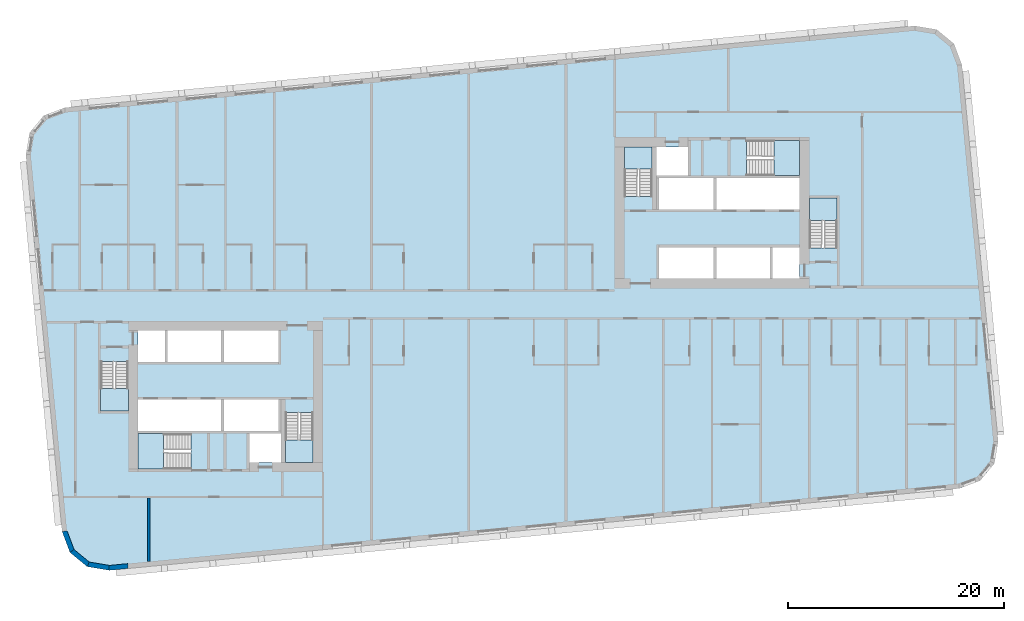
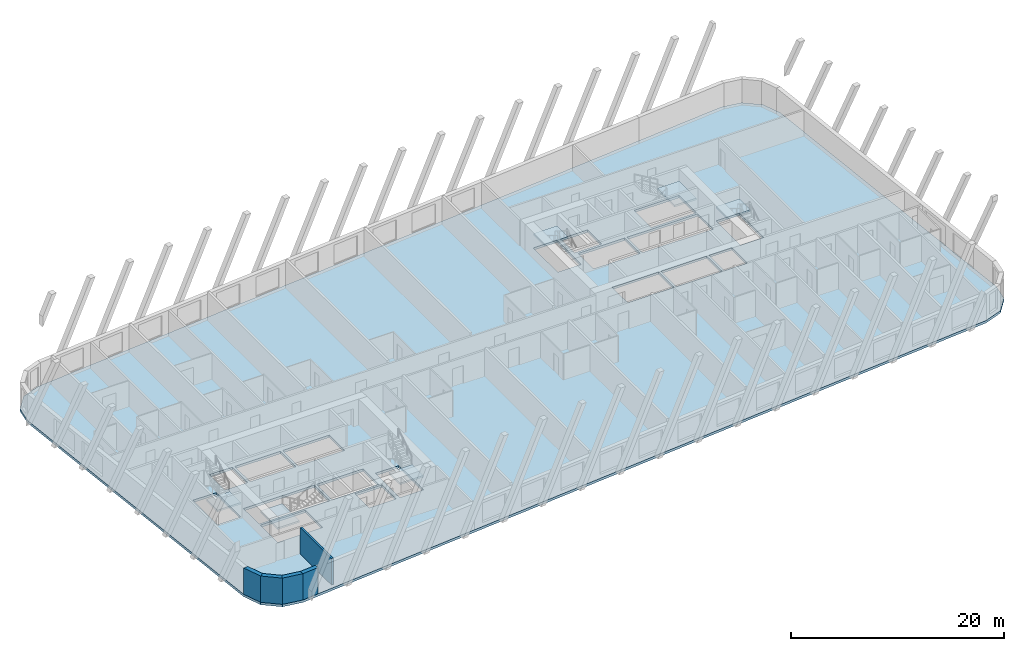
# One storey, part 1 of 13: 7 slabs, 5 walls, 6 elements without a shape of their own.
"""IFC4 building model written with IfcOpenShell, lengths in metres."""

from ifc_helpers import new_model, si_unit, direction, frame, frame_2d, origin, place, context, subcontext, project, spatial, polyline, rectangle, outline, extrude, material, layer, layer_set, type_object, element, aggregate, save


model = new_model("IFC4")

# Units and contexts
model_context = context("Model", 3, precision=1e-05, world=origin(), true_north=direction((0.0, 1.0)))
body_context = subcontext(model_context, "Body", "Model", "MODEL_VIEW")
ifc_project = project(units=[si_unit("LENGTHUNIT", "METRE"), si_unit("AREAUNIT", "SQUARE_METRE"), si_unit("VOLUMEUNIT", "CUBIC_METRE"), si_unit("PLANEANGLEUNIT", "RADIAN"), si_unit("MASSUNIT", "GRAM", prefix="KILO")], contexts=[model_context])

# Site, building, storey
site_placement = place(None, origin())
site = spatial("IfcSite", under=ifc_project, at=site_placement, CompositionType="ELEMENT")
building_placement = place(site_placement, origin())
building = spatial("IfcBuilding", under=site, at=building_placement, Name="Kajstack Hotel Tower", CompositionType="ELEMENT")
storey_placement = place(building_placement, frame((0.0, 0.0, 120.699951171875)))
storey = spatial("IfcBuildingStorey", under=building, at=storey_placement, Name="L26", CompositionType="ELEMENT", Elevation=120.699951171875)

# Slab
ifc_material_1 = material(Name="Concrete C40/50", Category="concrete")
ifc_layer_1 = layer(ifc_material_1, 0.280029296875)
ifc_layer_set_1 = layer_set([ifc_layer_1], Name="RC slab 280 C40/50 guest")
slab_type_1 = type_object("IfcSlabType", Name="RC slab 280 C40/50 guest", PredefinedType="FLOOR", material=ifc_layer_set_1)
slab_1_placement = place(storey_placement, frame((0.0, 0.0, -0.280029296875)))
element("IfcSlab", 1, at=slab_1_placement, inside=storey, type_object=slab_type_1, Name="S-slab-L26", PredefinedType="FLOOR", context=body_context, shape_type="SweptSolid", body=[
    extrude(outline(polyline([(-40.97705078125, 13.85009765625), (-37.622314453125, -20.98876953125), (-36.897216796875, -22.92822265625), (-35.299560546875, -24.2451171875), (-33.257568359375, -24.5869140625), (45.37890625, -17.01513671875), (47.318359375, -16.2900390625), (48.63525390625, -14.6923828125), (48.97705078125, -12.650146484375), (45.622314453125, 22.188720703125), (44.897216796875, 24.128173828125), (43.299560546875, 25.4453125), (41.257568359375, 25.786865234375), (-37.37890625, 18.215087890625), (-39.318359375, 17.489990234375), (-40.63525390625, 15.892333984375), (-40.97705078125, 13.85009765625)]), holes=[polyline([(-30.60009765625, -11.699951171875), (-30.60009765625, -8.800048828125), (-22.89990234375, -8.800048828125), (-22.89990234375, -11.699951171875), (-30.60009765625, -11.699951171875)]), polyline([(-22.64990234375, -11.699951171875), (-22.64990234375, -8.800048828125), (-17.60009765625, -8.800048828125), (-17.60009765625, -11.699951171875), (-22.64990234375, -11.699951171875)]), polyline([(-27.85009765625, -5.300048828125), (-27.85009765625, -2.39990234375), (-22.89990234375, -2.39990234375), (-22.89990234375, -5.300048828125), (-27.85009765625, -5.300048828125)]), polyline([(-22.64990234375, -5.300048828125), (-22.64990234375, -2.39990234375), (-17.60009765625, -2.39990234375), (-17.60009765625, -5.300048828125), (-22.64990234375, -5.300048828125)]), polyline([(-20.300048828125, -14.60009765625), (-17.35009765625, -14.60009765625), (-17.35009765625, -11.949951171875), (-20.300048828125, -11.949951171875), (-20.300048828125, -14.60009765625)]), polyline([(-30.60009765625, -5.300048828125), (-28.10009765625, -5.300048828125), (-28.10009765625, -2.39990234375), (-30.60009765625, -2.39990234375), (-30.60009765625, -5.300048828125)]), polyline([(22.89990234375, 8.800048828125), (22.89990234375, 11.699951171875), (30.60009765625, 11.699951171875), (30.60009765625, 8.800048828125), (22.89990234375, 8.800048828125)]), polyline([(17.60009765625, 8.800048828125), (17.60009765625, 11.699951171875), (22.64990234375, 11.699951171875), (22.64990234375, 8.800048828125), (17.60009765625, 8.800048828125)]), polyline([(22.89990234375, 2.39990234375), (22.89990234375, 5.300048828125), (27.85009765625, 5.300048828125), (27.85009765625, 2.39990234375), (22.89990234375, 2.39990234375)]), polyline([(17.60009765625, 2.39990234375), (17.60009765625, 5.300048828125), (22.64990234375, 5.300048828125), (22.64990234375, 2.39990234375), (17.60009765625, 2.39990234375)]), polyline([(20.300048828125, 14.60009765625), (17.35009765625, 14.60009765625), (17.35009765625, 11.949951171875), (20.300048828125, 11.949951171875), (20.300048828125, 14.60009765625)]), polyline([(30.60009765625, 5.300048828125), (28.10009765625, 5.300048828125), (28.10009765625, 2.39990234375), (30.60009765625, 2.39990234375), (30.60009765625, 5.300048828125)]), polyline([(-34.050048828125, -9.85009765625), (-31.5, -9.85009765625), (-31.5, -5.25), (-34.050048828125, -5.25), (-34.050048828125, -9.85009765625)]), polyline([(-16.949951171875, -14.60009765625), (-14.39990234375, -14.60009765625), (-14.39990234375, -10.0), (-16.949951171875, -10.0), (-16.949951171875, -14.60009765625)]), polyline([(-30.60009765625, -15.199951171875), (-25.699951171875, -15.199951171875), (-25.699951171875, -11.949951171875), (-30.60009765625, -11.949951171875), (-30.60009765625, -15.199951171875)]), polyline([(34.050048828125, 9.85009765625), (31.5, 9.85009765625), (31.5, 5.25), (34.050048828125, 5.25), (34.050048828125, 9.85009765625)]), polyline([(16.949951171875, 14.60009765625), (14.39990234375, 14.60009765625), (14.39990234375, 10.0), (16.949951171875, 10.0), (16.949951171875, 14.60009765625)]), polyline([(30.60009765625, 15.199951171875), (25.699951171875, 15.199951171875), (25.699951171875, 11.949951171875), (30.60009765625, 11.949951171875), (30.60009765625, 15.199951171875)])]), origin(), (0.0, 0.0, 1.0), 0.280029296875),
])

# Stair, slab
stair_type_1 = type_object("IfcStairType", Name="Exit stair 1200", PredefinedType="HALF_TURN_STAIR", material=ifc_material_1)
stair_1_placement = place(storey_placement, origin())
stair_1 = element("IfcStair", 2, at=stair_1_placement, inside=storey, type_object=stair_type_1, Name="L26 stair W1", PredefinedType="HALF_TURN_STAIR")
ifc_layer_2 = layer(ifc_material_1, 0.199951171875)
ifc_layer_set_2 = layer_set([ifc_layer_2], Name="Stair landing 200")
slab_type_2 = type_object("IfcSlabType", Name="Stair landing 200", PredefinedType="LANDING", material=ifc_layer_set_2)
slab_2_placement = place(storey_placement, frame((0.0, 0.0, 1.449951171875)))
slab_2 = element("IfcSlab", 3, at=slab_2_placement, type_object=slab_type_2, Name="W1 landing 1", PredefinedType="LANDING", context=body_context, shape_type="SweptSolid", body=[
    extrude(outline(polyline([(-34.050048828125, -7.77001953125), (-34.050048828125, -9.85009765625), (-31.5, -9.85009765625), (-31.5, -7.77001953125), (-34.050048828125, -7.77001953125)])), origin(), (0.0, 0.0, 1.0), 0.2001953125),
])
aggregate(stair_1, [slab_2])

stair_2_placement = place(storey_placement, origin())
stair_2 = element("IfcStair", 4, at=stair_2_placement, inside=storey, type_object=stair_type_1, Name="L26 stair W2", PredefinedType="HALF_TURN_STAIR")
slab_3_placement = place(storey_placement, frame((0.0, 0.0, 1.449951171875)))
slab_3 = element("IfcSlab", 5, at=slab_3_placement, type_object=slab_type_2, Name="W2 landing 1", PredefinedType="LANDING", context=body_context, shape_type="SweptSolid", body=[
    extrude(outline(polyline([(-16.949951171875, -12.52001953125), (-16.949951171875, -14.60009765625), (-14.39990234375, -14.60009765625), (-14.39990234375, -12.52001953125), (-16.949951171875, -12.52001953125)])), origin(), (0.0, 0.0, 1.0), 0.2001953125),
])
aggregate(stair_2, [slab_3])

stair_type_2 = type_object("IfcStairType", Name="Exit stair 1500", PredefinedType="HALF_TURN_STAIR", material=ifc_material_1)
stair_3_placement = place(storey_placement, origin())
stair_3 = element("IfcStair", 6, at=stair_3_placement, inside=storey, type_object=stair_type_2, Name="L26 stair W3", PredefinedType="HALF_TURN_STAIR")
slab_4_placement = place(storey_placement, frame((0.0, 0.0, 1.449951171875)))
slab_4 = element("IfcSlab", 7, at=slab_4_placement, type_object=slab_type_2, Name="W3 landing 1", PredefinedType="LANDING", context=body_context, shape_type="SweptSolid", body=[
    extrude(outline(polyline([(-28.219970703125, -11.949951171875), (-30.60009765625, -11.949951171875), (-30.60009765625, -15.199951171875), (-28.219970703125, -15.199951171875), (-28.219970703125, -11.949951171875)])), origin(), (0.0, 0.0, 1.0), 0.2001953125),
])
aggregate(stair_3, [slab_4])

stair_4_placement = place(storey_placement, origin())
stair_4 = element("IfcStair", 8, at=stair_4_placement, inside=storey, type_object=stair_type_1, Name="L26 stair E1", PredefinedType="HALF_TURN_STAIR")
slab_5_placement = place(storey_placement, frame((0.0, 0.0, 1.449951171875)))
slab_5 = element("IfcSlab", 9, at=slab_5_placement, type_object=slab_type_2, Name="E1 landing 1", PredefinedType="LANDING", context=body_context, shape_type="SweptSolid", body=[
    extrude(outline(polyline([(34.050048828125, 7.77001953125), (34.050048828125, 9.85009765625), (31.5, 9.85009765625), (31.5, 7.77001953125), (34.050048828125, 7.77001953125)])), origin(), (0.0, 0.0, 1.0), 0.2001953125),
])
aggregate(stair_4, [slab_5])

stair_5_placement = place(storey_placement, origin())
stair_5 = element("IfcStair", 10, at=stair_5_placement, inside=storey, type_object=stair_type_1, Name="L26 stair E2", PredefinedType="HALF_TURN_STAIR")
slab_6_placement = place(storey_placement, frame((0.0, 0.0, 1.449951171875)))
slab_6 = element("IfcSlab", 11, at=slab_6_placement, type_object=slab_type_2, Name="E2 landing 1", PredefinedType="LANDING", context=body_context, shape_type="SweptSolid", body=[
    extrude(outline(polyline([(16.949951171875, 12.52001953125), (16.949951171875, 14.60009765625), (14.39990234375, 14.60009765625), (14.39990234375, 12.52001953125), (16.949951171875, 12.52001953125)])), origin(), (0.0, 0.0, 1.0), 0.2001953125),
])
aggregate(stair_5, [slab_6])

stair_6_placement = place(storey_placement, origin())
stair_6 = element("IfcStair", 12, at=stair_6_placement, inside=storey, type_object=stair_type_2, Name="L26 stair E3", PredefinedType="HALF_TURN_STAIR")
slab_7_placement = place(storey_placement, frame((0.0, 0.0, 1.449951171875)))
slab_7 = element("IfcSlab", 13, at=slab_7_placement, type_object=slab_type_2, Name="E3 landing 1", PredefinedType="LANDING", context=body_context, shape_type="SweptSolid", body=[
    extrude(outline(polyline([(28.219970703125, 11.949951171875), (30.60009765625, 11.949951171875), (30.60009765625, 15.199951171875), (28.219970703125, 15.199951171875), (28.219970703125, 11.949951171875)])), origin(), (0.0, 0.0, 1.0), 0.2001953125),
])
aggregate(stair_6, [slab_7])

# Walls
ifc_material_2 = material(Name="Terracotta-faced brick masonry", Category="masonry")
ifc_layer_3 = layer(ifc_material_2, 0.449951171875)
ifc_layer_set_3 = layer_set([ifc_layer_3], Name="EW-TERRA")
wall_type_1 = type_object("IfcWallType", Name="EW-TERRA", PredefinedType="SOLIDWALL", material=ifc_layer_set_3)
for number, where, z_axis, x_axis, name in (
    (14, (-37.41162109375, -20.909912109375, 0.0), (0.0, 0.0, 1.0), (0.350192909346, -0.936677599948, 0.0), "E-wall-L26-01-00"),
    (15, (-36.754150390625, -22.754638671875, 0.0), (0.0, 0.0, 1.0), (0.771651049663, -0.636046112757, 0.0), "E-wall-L26-02-00"),
):
    element("IfcWall", number, at=place(storey_placement, frame(where, z_axis=z_axis, x_axis=x_axis)), inside=storey, type_object=wall_type_1, Name=name, PredefinedType="SOLIDWALL", context=body_context, shape_type="SweptSolid", body=[
        extrude(outline(polyline([(0.0, -0.22509765625), (2.070556640625, -0.22509765625), (1.949951171875, 0.224853515625), (0.12060546875, 0.22509765625), (0.0, -0.22509765625)])), origin(), (0.0, 0.0, 1.0), 3.02001953125),
    ])
wall_1_placement = place(storey_placement, frame((-35.262451171875, -24.023193359375, 0.0), z_axis=(0.0, 0.0, 1.0), x_axis=(0.986278951104, -0.165087342366, 0.0)))
element("IfcWall", 16, at=wall_1_placement, inside=storey, type_object=wall_type_1, Name="E-wall-L26-03-00", PredefinedType="SOLIDWALL", context=body_context, shape_type="SweptSolid", body=[
    extrude(outline(polyline([(0.0, -0.22509765625), (2.070556640625, -0.22509765625), (1.949951171875, 0.22509765625), (0.12060546875, 0.224853515625), (0.0, -0.22509765625)])), origin(), (0.0, 0.0, 1.0), 3.02001953125),
])
wall_2_placement = place(storey_placement, frame((-33.279052734375, -24.363037109375, 0.0), z_axis=(0.0, 0.0, 1.0), x_axis=(0.995385439311, 0.095957423931, 0.0)))
element("IfcWall", 17, at=wall_2_placement, inside=storey, type_object=wall_type_1, Name="E-wall-L26-04-00", PredefinedType="SOLIDWALL", context=body_context, shape_type="SweptSolid", body=[
    extrude(rectangle(XDim=1.765625, YDim=0.449951171875, at=frame_2d((0.8828125, 0.0))), origin(), (0.0, 0.0, 1.0), 3.02001953125),
])
ifc_material_3 = material(Name="Gypsum board on steel studs, mineral wool", Category="steel")
ifc_layer_4 = layer(ifc_material_3, 0.199951171875)
ifc_layer_set_4 = layer_set([ifc_layer_4], Name="Service partition 200")
wall_type_2 = type_object("IfcWallType", Name="Service partition 200", PredefinedType="PARTITIONING", material=ifc_layer_set_4)
wall_3_placement = place(storey_placement, frame((-29.60009765625, -23.78369140625, 0.0), z_axis=(0.0, 0.0, 1.0), x_axis=(0.0, 1.0, 0.0)))
element("IfcWall", 18, at=wall_3_placement, inside=storey, type_object=wall_type_2, Name="Partition W SLP0", PredefinedType="PARTITIONING", context=body_context, shape_type="SweptSolid", body=[
    extrude(rectangle(XDim=5.8837890625, YDim=0.199951171875, at=frame_2d((2.94189453125, 0.0))), origin(), (0.0, 0.0, 1.0), 3.02001953125),
])

save(model, "model.ifc")
